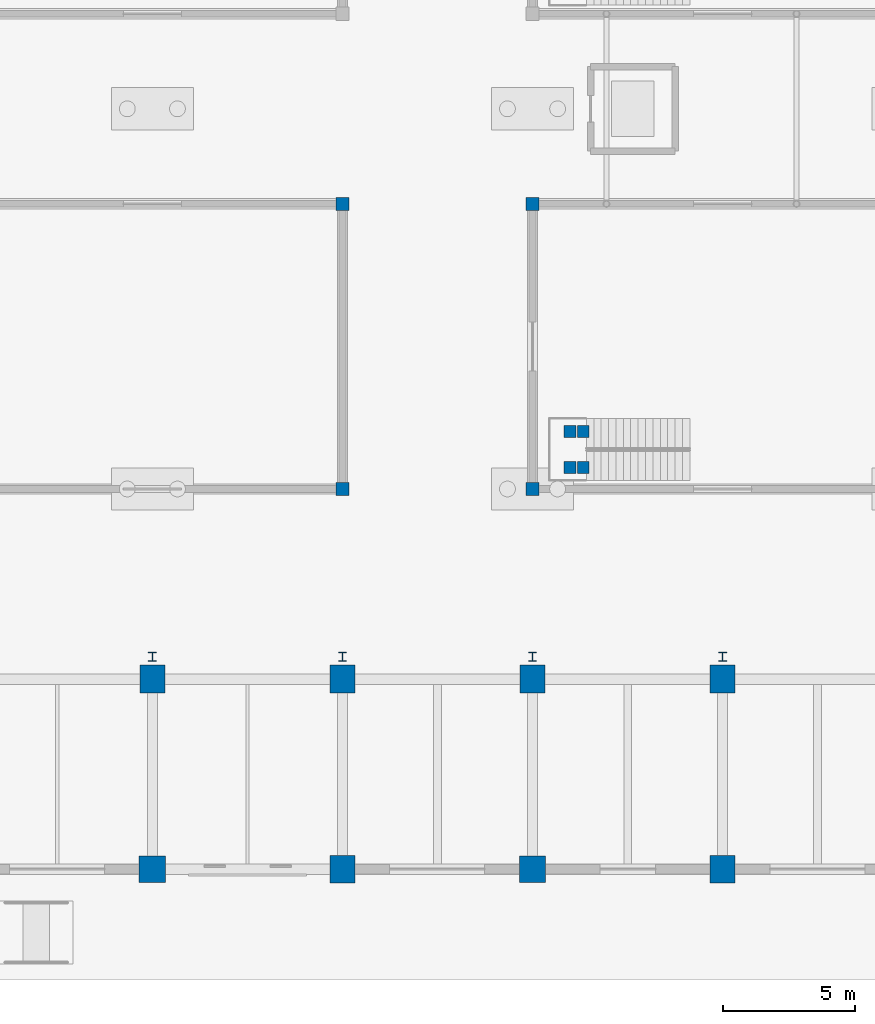
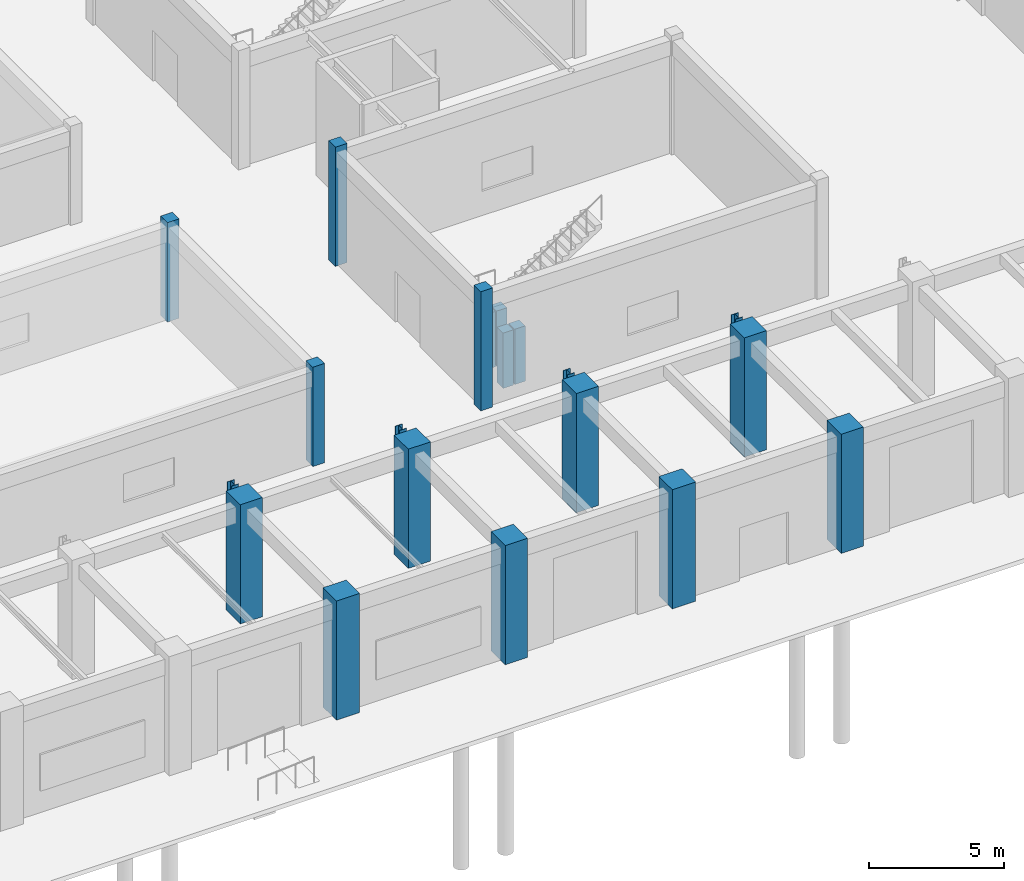
# One storey, part 8 of 160: 20 columns.
"""IFC4 building model written with IfcOpenShell, lengths in metres."""

from ifc_helpers import new_model, si_unit, direction, frame, origin, origin_2d, place, context, subcontext, project, spatial, rectangle, i_section, extrude, material, material_profile, profile_set, type_object, element, save


model = new_model("IFC4")

# Units and contexts
model_context = context("Model", 3, precision=1e-05, world=origin(), true_north=direction((0.0, 1.0)))
body_context = subcontext(model_context, "Body", "Model", "MODEL_VIEW")
ifc_project = project(units=[si_unit("LENGTHUNIT", "METRE"), si_unit("AREAUNIT", "SQUARE_METRE"), si_unit("VOLUMEUNIT", "CUBIC_METRE"), si_unit("PLANEANGLEUNIT", "RADIAN"), si_unit("MASSUNIT", "GRAM", prefix="KILO")], contexts=[model_context])

# Site, building, storey
site_placement = place(None, origin())
site = spatial("IfcSite", under=ifc_project, at=site_placement, CompositionType="ELEMENT")
building_placement = place(site_placement, origin())
building = spatial("IfcBuilding", under=site, at=building_placement, Name="Thalmaran Polytechnic", CompositionType="ELEMENT")
storey_placement = place(building_placement, origin())
storey = spatial("IfcBuildingStorey", under=building, at=storey_placement, Name="L00", CompositionType="ELEMENT", Elevation=0.0)

# Columns
ifc_material_1 = material(Name="Concrete C40/50", Category="concrete")
ifc_material_profile_1 = material_profile(ifc_material_1, rectangle(XDim=0.5, YDim=0.5, at=origin_2d()), Name="RC 500x500")
ifc_profile_set_1 = profile_set([ifc_material_profile_1], Name="Concrete C40/50")
column_type_1 = type_object("IfcColumnType", Name="COL-C09", PredefinedType="COLUMN", material=ifc_profile_set_1)
for number, where, z_axis, x_axis, name in (
    (1, (136.800048828125, 14.39990234375, 0.0), (0.0, 0.0, 1.0), (1.0, 0.0, 0.0), "POD1 Frame Column L00"),
    (2, (136.800048828125, 25.199951171875, 0.0), (0.0, 0.0, 1.0), (1.0, 0.0, 0.0), "POD1 Frame Column L00"),
):
    element("IfcColumn", number, at=place(storey_placement, frame(where, z_axis=z_axis, x_axis=x_axis)), inside=storey, type_object=column_type_1, Name=name, PredefinedType="COLUMN", context=body_context, shape_type="SweptSolid", body=[
        extrude(rectangle(XDim=0.5, YDim=0.5, at=origin_2d()), origin(), (0.0, 0.0, 1.0), 4.5),
    ])
for number, where, z_axis, x_axis, name in (
    (3, (144.0, 14.39990234375, 0.0), (0.0, 0.0, 1.0), (1.0, 0.0, 0.0), "POD2 Frame Column L00"),
    (4, (144.0, 25.199951171875, 0.0), (0.0, 0.0, 1.0), (1.0, 0.0, 0.0), "POD2 Frame Column L00"),
):
    element("IfcColumn", number, at=place(storey_placement, frame(where, z_axis=z_axis, x_axis=x_axis)), inside=storey, type_object=column_type_1, Name=name, PredefinedType="COLUMN", context=body_context, shape_type="SweptSolid", body=[
        extrude(rectangle(XDim=0.5, YDim=0.5, at=origin_2d()), origin(), (0.0, 0.0, 1.0), 5.39990234375),
    ])
ifc_material_profile_2 = material_profile(ifc_material_1, rectangle(XDim=0.449951171875, YDim=0.449951171875, at=origin_2d()), Name="RC 450x450")
ifc_profile_set_2 = profile_set([ifc_material_profile_2], Name="Concrete C40/50")
column_type_2 = type_object("IfcColumnType", Name="COL-C10", PredefinedType="COLUMN", material=ifc_profile_set_2)
for number, where, z_axis, x_axis, name in (
    (5, (145.419921875, 15.219970703125, 0.0), (0.0, 0.0, 1.0), (1.0, 0.0, 0.0), "STP1 Landing Post L00"),
    (6, (145.419921875, 16.580078125, 0.0), (0.0, 0.0, 1.0), (1.0, 0.0, 0.0), "STP1 Landing Post L00"),
    (7, (145.919921875, 15.219970703125, 0.0), (0.0, 0.0, 1.0), (1.0, 0.0, 0.0), "STP1 Landing Post L00"),
    (8, (145.919921875, 16.580078125, 0.0), (0.0, 0.0, 1.0), (1.0, 0.0, 0.0), "STP1 Landing Post L00"),
):
    element("IfcColumn", number, at=place(storey_placement, frame(where, z_axis=z_axis, x_axis=x_axis)), inside=storey, type_object=column_type_2, Name=name, PredefinedType="COLUMN", context=body_context, shape_type="SweptSolid", body=[
        extrude(rectangle(XDim=0.449951171875, YDim=0.449951171875, at=origin_2d()), origin(), (0.0, 0.0, 1.0), 2.5048828125),
    ])
ifc_material_2 = material(Name="Steel S355", Category="steel")
ifc_material_profile_3 = material_profile(ifc_material_2, i_section(OverallWidth=0.300048828125, OverallDepth=0.340087890625, WebThickness=0.011962890625, FlangeThickness=0.021484375, at=origin_2d()), Name="HEB 340")
ifc_profile_set_3 = profile_set([ifc_material_profile_3], Name="Steel S355")
column_type_3 = type_object("IfcColumnType", Name="COL-SC1", PredefinedType="COLUMN", material=ifc_profile_set_3)
for number, where, z_axis, x_axis, name in (
    (9, (129.60009765625, 8.050048828125, 0.0), (0.0, 0.0, 1.0), (1.0, 0.0, 0.0), "Workshop Crane Runway Column L00 (18,1)"),
    (10, (136.800048828125, 8.050048828125, 0.0), (0.0, 0.0, 1.0), (1.0, 0.0, 0.0), "Workshop Crane Runway Column L00 (19,1)"),
    (11, (144.0, 8.050048828125, 0.0), (0.0, 0.0, 1.0), (1.0, 0.0, 0.0), "Workshop Crane Runway Column L00 (20,1)"),
    (12, (151.199951171875, 8.050048828125, 0.0), (0.0, 0.0, 1.0), (1.0, 0.0, 0.0), "Workshop Crane Runway Column L00 (21,1)"),
):
    element("IfcColumn", number, at=place(storey_placement, frame(where, z_axis=z_axis, x_axis=x_axis)), inside=storey, type_object=column_type_3, Name=name, PredefinedType="COLUMN", context=body_context, shape_type="SweptSolid", body=[
        extrude(i_section(OverallWidth=0.300048828125, OverallDepth=0.340087890625, WebThickness=0.011962890625, FlangeThickness=0.021484375, at=origin_2d()), origin(), (0.0, 0.0, 1.0), 5.39990234375),
    ])
ifc_material_3 = material(Name="Concrete C50/60", Category="concrete")
ifc_material_profile_4 = material_profile(ifc_material_3, rectangle(XDim=1.0, YDim=1.0, at=origin_2d()), Name="RC 1000x1000")
ifc_profile_set_4 = profile_set([ifc_material_profile_4], Name="Concrete C50/60")
column_type_4 = type_object("IfcColumnType", Name="COL-WP1", PredefinedType="COLUMN", material=ifc_profile_set_4)
for number, where, z_axis, x_axis, name in (
    (13, (129.60009765625, 0.0, 0.0), (0.0, 0.0, 1.0), (1.0, 0.0, 0.0), "Column WP1 L00 (18,0)"),
    (14, (144.0, 0.0, 0.0), (0.0, 0.0, 1.0), (1.0, 0.0, 0.0), "Column WP1 L00 (20,0)"),
):
    element("IfcColumn", number, at=place(storey_placement, frame(where, z_axis=z_axis, x_axis=x_axis)), inside=storey, type_object=column_type_4, Name=name, PredefinedType="COLUMN", context=body_context, shape_type="SweptSolid", body=[
        extrude(rectangle(XDim=1.0, YDim=1.0, at=origin_2d()), origin(), (0.0, 0.0, 1.0), 5.39990234375),
    ])
ifc_material_profile_5 = material_profile(ifc_material_3, rectangle(XDim=0.949951171875, YDim=1.050048828125, at=origin_2d()), Name="RC 950x1050")
ifc_profile_set_5 = profile_set([ifc_material_profile_5], Name="Concrete C50/60")
column_type_5 = type_object("IfcColumnType", Name="COL-WP2", PredefinedType="COLUMN", material=ifc_profile_set_5)
for number, where, z_axis, x_axis, name in (
    (15, (129.60009765625, 7.199951171875, 0.0), (0.0, 0.0, 1.0), (1.0, 0.0, 0.0), "Column WP2 L00 (18,1)"),
    (16, (136.800048828125, 0.0, 0.0), (0.0, 0.0, 1.0), (1.0, 0.0, 0.0), "Column WP2 L00 (19,0)"),
    (17, (136.800048828125, 7.199951171875, 0.0), (0.0, 0.0, 1.0), (1.0, 0.0, 0.0), "Column WP2 L00 (19,1)"),
    (18, (144.0, 7.199951171875, 0.0), (0.0, 0.0, 1.0), (1.0, 0.0, 0.0), "Column WP2 L00 (20,1)"),
    (19, (151.199951171875, 0.0, 0.0), (0.0, 0.0, 1.0), (1.0, 0.0, 0.0), "Column WP2 L00 (21,0)"),
    (20, (151.199951171875, 7.199951171875, 0.0), (0.0, 0.0, 1.0), (1.0, 0.0, 0.0), "Column WP2 L00 (21,1)"),
):
    element("IfcColumn", number, at=place(storey_placement, frame(where, z_axis=z_axis, x_axis=x_axis)), inside=storey, type_object=column_type_5, Name=name, PredefinedType="COLUMN", context=body_context, shape_type="SweptSolid", body=[
        extrude(rectangle(XDim=0.949951171875, YDim=1.050048828125, at=origin_2d()), origin(), (0.0, 0.0, 1.0), 5.39990234375),
    ])

save(model, "model.ifc")
